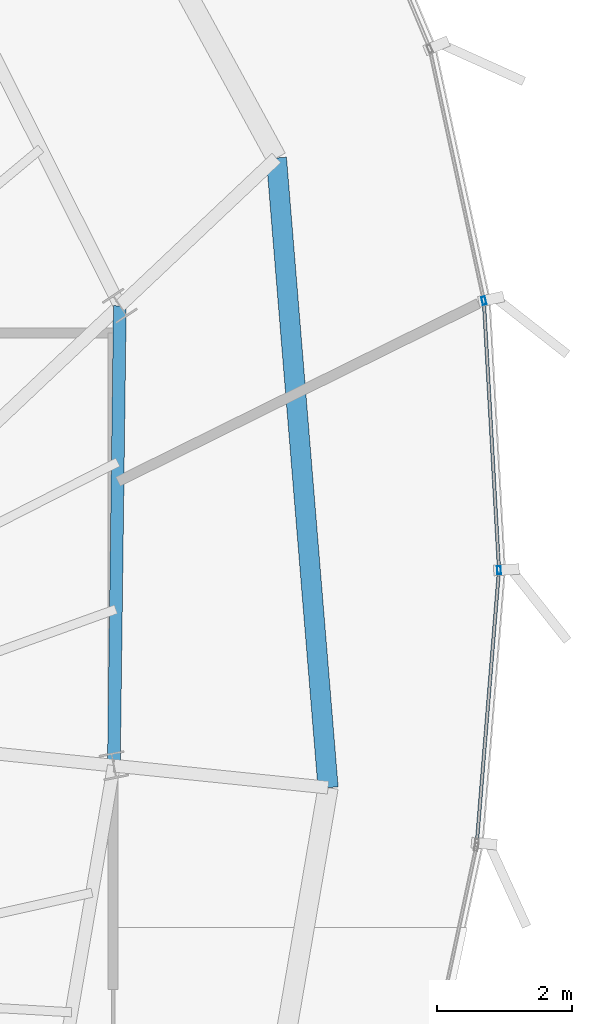
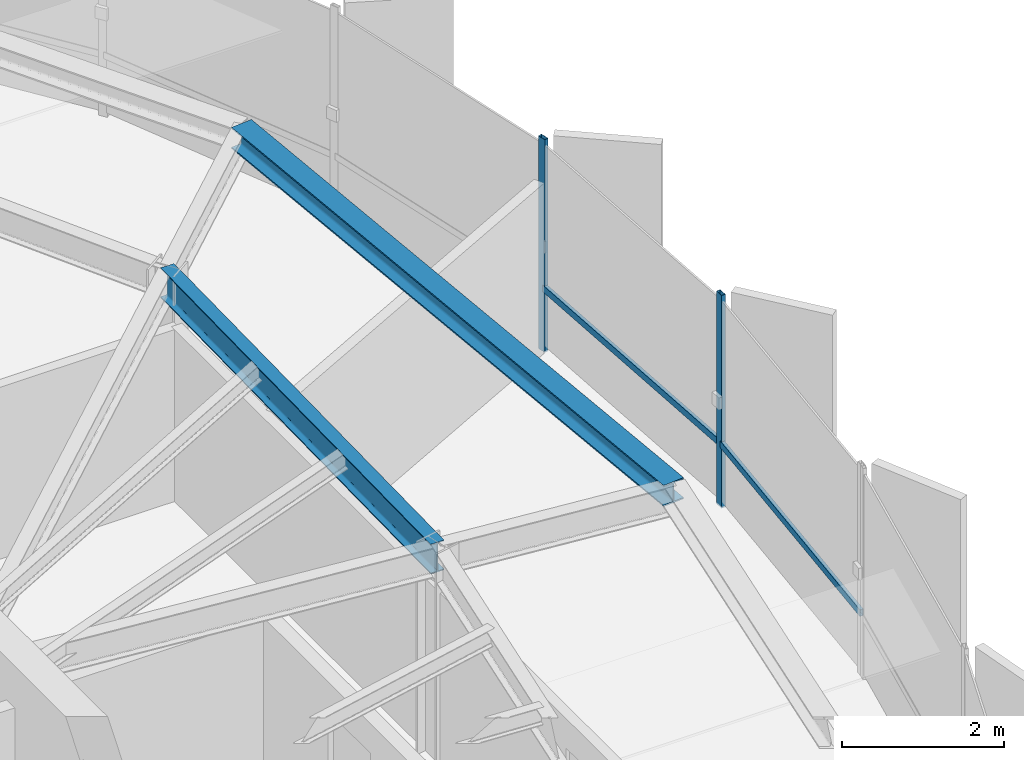
# One storey, part 15 of 31: 4 members, 2 beams, 1 element without a shape of its own.
"""IFC4 building model written with IfcOpenShell, lengths in metres."""

from ifc_helpers import new_model, si_unit, direction, frame, origin, origin_2d, place, context, subcontext, project, spatial, hollow_rectangle, i_section, extrude, source, transform, mapped, material, layer, layer_set, material_profile, profile_set, type_object, element, aggregate, save


model = new_model("IFC4")

# Units and contexts
model_context = context("Model", 3, precision=1e-05, world=origin(), true_north=direction((0.0, 1.0)))
body_context = subcontext(model_context, "Body", "Model", "MODEL_VIEW")
ifc_project = project(units=[si_unit("LENGTHUNIT", "METRE"), si_unit("AREAUNIT", "SQUARE_METRE"), si_unit("VOLUMEUNIT", "CUBIC_METRE"), si_unit("PLANEANGLEUNIT", "RADIAN"), si_unit("MASSUNIT", "GRAM", prefix="KILO"), si_unit("THERMODYNAMICTEMPERATUREUNIT", "KELVIN")], contexts=[model_context])

# Site, building, storey
site_placement = place(None, origin())
site = spatial("IfcSite", under=ifc_project, at=site_placement, CompositionType="ELEMENT")
building_placement = place(site_placement, origin())
building = spatial("IfcBuilding", under=site, at=building_placement, Name="Kethvar Cultural Tower", CompositionType="ELEMENT")
storey_placement = place(building_placement, frame((0.0, 0.0, 269.800048828125)))
storey = spatial("IfcBuildingStorey", under=building, at=storey_placement, Name="L71", CompositionType="ELEMENT", Elevation=269.800048828125)

# Beams
ifc_material_1 = material(Name="Steel S355J2", Category="steel")
ifc_material_profile_1 = material_profile(ifc_material_1, i_section(OverallWidth=0.18994140625, OverallDepth=0.449951171875, WebThickness=0.009521484375, FlangeThickness=0.0146484375, FilletRadius=0.02099609375, at=origin_2d()), Name="Steel S355J2 — IPE450")
ifc_profile_set_1 = profile_set([ifc_material_profile_1], Name="Steel S355J2 — IPE450")
beam_type_1 = type_object("IfcBeamType", Name="BM-IPE450", PredefinedType="BEAM", material=ifc_profile_set_1)
shared_shape_1 = source(origin(), body_context, "Body", "SweptSolid", [
    extrude(i_section(OverallWidth=0.18994140625, OverallDepth=0.449951171875, WebThickness=0.009521484375, FlangeThickness=0.0146484375, FilletRadius=0.02099609375, at=origin_2d()), origin(), (0.0, 0.0, 1.0), 6.834716796875),
])
beam_1_placement = place(storey_placement, frame((61.237060546875, 30.671630859375, 2.98291015625), z_axis=(0.012966437445, 0.999915932216, 0.0), x_axis=(-0.999915932216, 0.012966437445, 0.0)))
element("IfcBeam", 1, at=beam_1_placement, inside=storey, type_object=beam_type_1, Name="L71 Column Ring Tie Beam CR-01", PredefinedType="BEAM", context=body_context, shape_type="MappedRepresentation", body=[
    mapped(shared_shape_1, transform((0.0, 0.0, 0.0), scale=1.0)),
])
ifc_material_profile_2 = material_profile(ifc_material_1, i_section(OverallWidth=0.300048828125, OverallDepth=0.320068359375, WebThickness=0.011474609375, FlangeThickness=0.0205078125, FilletRadius=0.027099609375, at=origin_2d()), Name="Steel S355J2 — HEB320")
ifc_profile_set_2 = profile_set([ifc_material_profile_2], Name="Steel S355J2 — HEB320")
beam_type_2 = type_object("IfcBeamType", Name="BM-SP320", PredefinedType="SPANDREL", material=ifc_profile_set_2)
shared_shape_2 = source(origin(), body_context, "Body", "SweptSolid", [
    extrude(i_section(OverallWidth=0.300048828125, OverallDepth=0.320068359375, WebThickness=0.011474609375, FlangeThickness=0.0205078125, FilletRadius=0.027099609375, at=origin_2d()), origin(), (0.0, 0.0, 1.0), 9.388916015625),
])
beam_2_placement = place(storey_placement, frame((64.42041015625, 30.34521484375, 3.0478515625), z_axis=(-0.08178004371, 0.996650402323, 0.0), x_axis=(-0.996650402323, -0.08178004371, 0.0)))
element("IfcBeam", 2, at=beam_2_placement, inside=storey, type_object=beam_type_2, Name="L71 Perimeter Spandrel Beam SP-01", PredefinedType="SPANDREL", context=body_context, shape_type="MappedRepresentation", body=[
    mapped(shared_shape_2, transform((0.0, 0.0, 0.0), scale=1.0)),
])

# Curtain wall, members
ifc_material_2 = material(Name="Aluminium 6063-T6", Category="aluminium")
ifc_layer = layer(ifc_material_2, 0.179931640625, Name="Aluminium 6063-T6", Category="aluminium")
ifc_layer_set = layer_set([ifc_layer], Name="Aluminium 6063-T6 (180 mm)")
curtain_wall_type = type_object("IfcCurtainWallType", Name="CW-SYS-05-Z56", PredefinedType="NOTDEFINED", material=ifc_layer_set)
curtain_wall_placement = place(storey_placement, origin())
curtain_wall = element("IfcCurtainWall", 3, at=curtain_wall_placement, inside=storey, type_object=curtain_wall_type, Name="L71 Curtain Wall Run 06", PredefinedType="NOTDEFINED")
ifc_material_profile_3 = material_profile(ifc_material_2, hollow_rectangle(XDim=0.054931640625, YDim=0.1201171875, WallThickness=0.00390625, at=origin_2d()), Name="Aluminium 6063-T6 — RHS120x55x4")
ifc_profile_set_3 = profile_set([ifc_material_profile_3], Name="Aluminium 6063-T6 — RHS120x55x4")
member_type_1 = type_object("IfcMemberType", Name="CW-SYS-05-Z56-MUL", PredefinedType="MULLION", material=ifc_profile_set_3)
shared_shape_3 = source(origin(), body_context, "Body", "SweptSolid", [
    extrude(hollow_rectangle(XDim=0.054931640625, YDim=0.1201171875, WallThickness=0.00390625, at=origin_2d()), origin(), (0.0, 0.0, 1.0), 3.2099609375),
])
member_1_placement = place(storey_placement, frame((66.961181640625, 33.577392578125, 0.0), z_axis=(0.0, 0.0, 1.0), x_axis=(-0.998410415702, -0.056361705237, 0.0)))
member_1 = element("IfcMember", 4, at=member_1_placement, type_object=member_type_1, Name="CW-L71-R06 Mullion 2", PredefinedType="MULLION", context=body_context, shape_type="MappedRepresentation", body=[
    mapped(shared_shape_3, transform((0.0, 0.0, 0.0), scale=1.0)),
])
member_2_placement = place(storey_placement, frame((66.736328125, 37.5810546875, 0.0), z_axis=(0.0, 0.0, 1.0), x_axis=(-0.9776109567, -0.21042057252, 0.0)))
member_2 = element("IfcMember", 5, at=member_2_placement, type_object=member_type_1, Name="CW-L71-R06 Mullion 3", PredefinedType="MULLION", context=body_context, shape_type="MappedRepresentation", body=[
    mapped(shared_shape_3, transform((0.0, 0.0, 0.0), scale=1.0)),
])
ifc_material_profile_4 = material_profile(ifc_material_2, hollow_rectangle(XDim=0.050048828125, YDim=0.10009765625, WallThickness=0.00390625, at=origin_2d()), Name="Aluminium 6063-T6 — RHS100x50x4")
ifc_profile_set_4 = profile_set([ifc_material_profile_4], Name="Aluminium 6063-T6 — RHS100x50x4")
member_type_2 = type_object("IfcMemberType", Name="CW-SYS-05-Z56-TRN", PredefinedType="USERDEFINED", material=ifc_profile_set_4)
shared_shape_4 = source(origin(), body_context, "Body", "SweptSolid", [
    extrude(hollow_rectangle(XDim=0.050048828125, YDim=0.10009765625, WallThickness=0.00390625, at=origin_2d()), origin(), (0.0, 0.0, 1.0), 4.038330078125),
])
member_3_placement = place(storey_placement, frame((66.63134765625, 29.526611328125, 0.949951171875), z_axis=(0.080948973891, 0.996718246861, 0.0), x_axis=(-0.996718246861, 0.080948973891, 0.0)))
member_3 = element("IfcMember", 6, at=member_3_placement, type_object=member_type_2, Name="CW-L71-R06 Transom 1", ObjectType="TRANSOM", PredefinedType="USERDEFINED", context=body_context, shape_type="MappedRepresentation", body=[
    mapped(shared_shape_4, transform((0.0, 0.0, 0.0), scale=1.0)),
])
shared_shape_5 = source(origin(), body_context, "Body", "SweptSolid", [
    extrude(hollow_rectangle(XDim=0.050048828125, YDim=0.10009765625, WallThickness=0.00390625, at=origin_2d()), origin(), (0.0, 0.0, 1.0), 3.9462890625),
])
member_4_placement = place(storey_placement, frame((66.958984375, 33.616943359375, 0.949951171875), z_axis=(-0.05636088307, 0.998410462114, 0.0), x_axis=(-0.998410462114, -0.05636088307, 0.0)))
member_4 = element("IfcMember", 7, at=member_4_placement, type_object=member_type_2, Name="CW-L71-R06 Transom 2", ObjectType="TRANSOM", PredefinedType="USERDEFINED", context=body_context, shape_type="MappedRepresentation", body=[
    mapped(shared_shape_5, transform((0.0, 0.0, 0.0), scale=1.0)),
])
aggregate(curtain_wall, [member_1, member_2, member_3, member_4])

save(model, "model.ifc")
